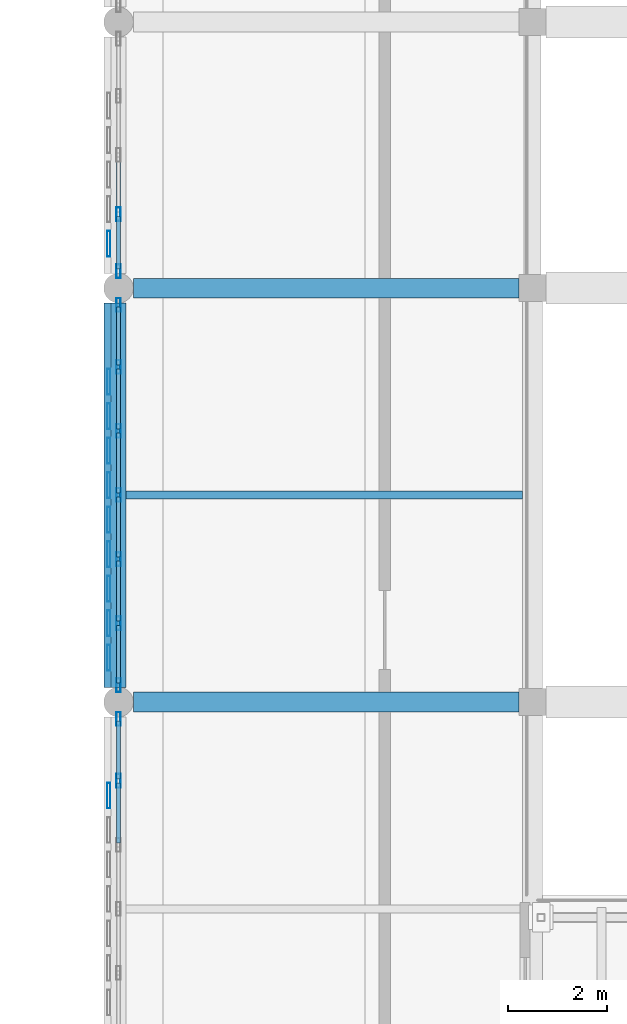
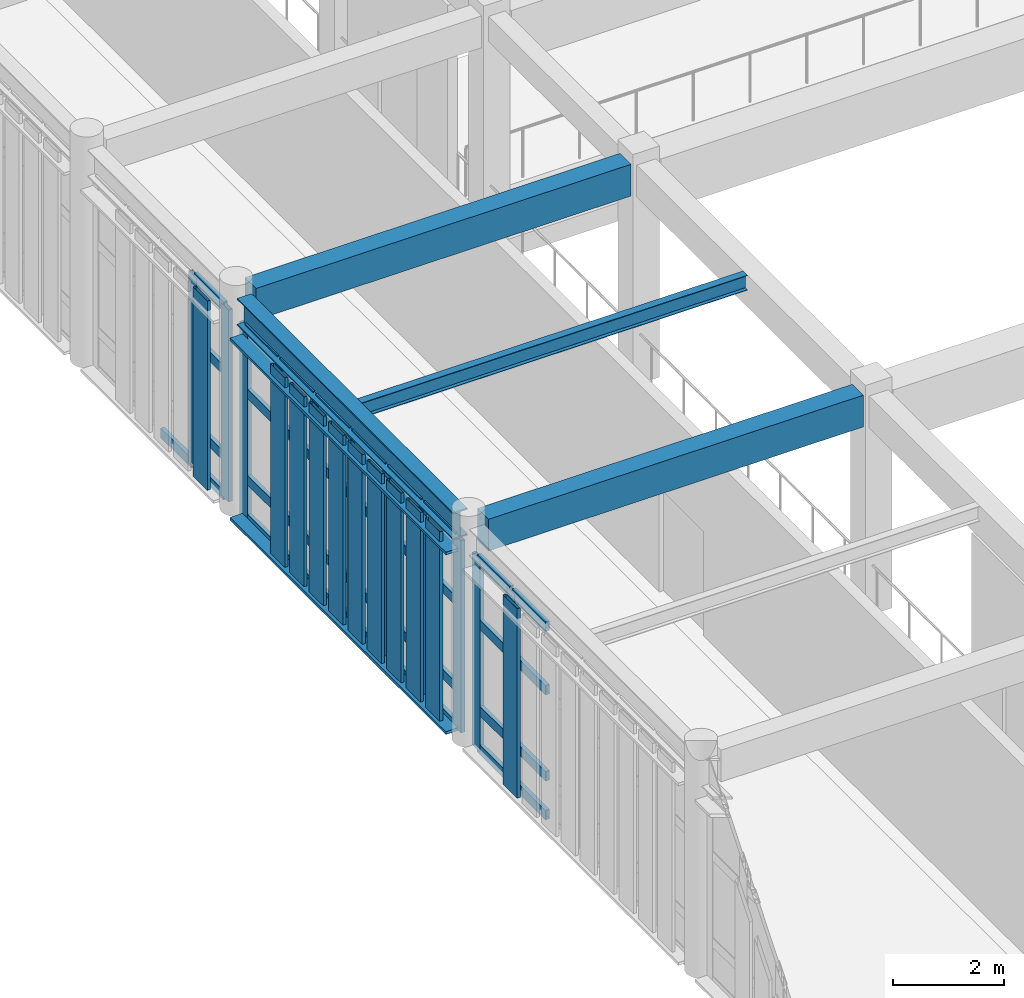
# One storey, part 22 of 77: 61 members, 4 beams, 3 elements without a shape of their own.
"""IFC4 building model written with IfcOpenShell, lengths in metres."""

from ifc_helpers import new_model, si_unit, direction, frame, origin, origin_2d, place, context, subcontext, project, spatial, rectangle, hollow_rectangle, i_section, extrude, material, layer, layer_set, material_profile, profile_set, type_object, element, aggregate, save


model = new_model("IFC4")

# Units and contexts
model_context = context("Model", 3, precision=1e-05, world=origin(), true_north=direction((0.0, 1.0)))
body_context = subcontext(model_context, "Body", "Model", "MODEL_VIEW")
ifc_project = project(units=[si_unit("LENGTHUNIT", "METRE"), si_unit("AREAUNIT", "SQUARE_METRE"), si_unit("VOLUMEUNIT", "CUBIC_METRE"), si_unit("PLANEANGLEUNIT", "RADIAN"), si_unit("MASSUNIT", "GRAM", prefix="KILO")], contexts=[model_context])

# Site, building, storey
site_placement = place(None, origin())
site = spatial("IfcSite", under=ifc_project, at=site_placement, CompositionType="ELEMENT")
building_placement = place(site_placement, origin())
building = spatial("IfcBuilding", under=site, at=building_placement, Name="Krzemoval Escarpment Law Courts", CompositionType="ELEMENT")
storey_placement = place(building_placement, frame((0.0, 0.0, 15.300048828125)))
storey = spatial("IfcBuildingStorey", under=building, at=storey_placement, Name="L03", CompositionType="ELEMENT", Elevation=15.300048828125)

# Beams
ifc_material_1 = material(Name="Concrete C40/50", Category="concrete")
ifc_material_profile_1 = material_profile(ifc_material_1, rectangle(XDim=0.39990234375, YDim=0.699951171875, at=origin_2d()), Name="RCB 400x700")
ifc_profile_set_1 = profile_set([ifc_material_profile_1], Name="Concrete C40/50")
beam_type_1 = type_object("IfcBeamType", Name="BM-RC-400x700", PredefinedType="BEAM", material=ifc_profile_set_1)
for number, where, z_axis, x_axis, name in (
    (1, (8.699951171875, 66.0, 4.489990234375), (1.0, 0.0, 0.0), (0.0, 1.0, 0.0), "Beam FG-L03-2160"),
    (2, (8.699951171875, 74.39990234375, 4.489990234375), (1.0, 0.0, 0.0), (0.0, 1.0, 0.0), "Beam FG-L03-2163"),
):
    element("IfcBeam", number, at=place(storey_placement, frame(where, z_axis=z_axis, x_axis=x_axis)), inside=storey, type_object=beam_type_1, Name=name, PredefinedType="BEAM", context=body_context, shape_type="SweptSolid", body=[
        extrude(rectangle(XDim=0.39990234375, YDim=0.699951171875, at=origin_2d()), origin(), (0.0, 0.0, 1.0), 7.824951171875),
    ])

# Curtain wall, members
ifc_material_2 = material(Name="Aluminium 6063-T6", Category="aluminium")
ifc_layer = layer(ifc_material_2, 0.280029296875)
ifc_layer_set = layer_set([ifc_layer], Name="Aluminium 6063-T6")
curtain_wall_type = type_object("IfcCurtainWallType", Name="CW-HALL-5100", PredefinedType="USERDEFINED", material=ifc_layer_set)
curtain_wall_1_placement = place(storey_placement, origin())
curtain_wall_1 = element("IfcCurtainWall", 3, at=curtain_wall_1_placement, inside=storey, type_object=curtain_wall_type, Name="Unitised Curtain Wall FCW-L03-099", ObjectType="UNITISED_CURTAIN_WALL", PredefinedType="USERDEFINED")
ifc_material_3 = material(Name="Aluminium 6063-T6", Category="aluminium")
ifc_material_profile_2 = material_profile(ifc_material_3, hollow_rectangle(XDim=0.0849609375, YDim=0.280029296875, WallThickness=0.005615234375, at=origin_2d()), Name="ALU M85x280")
ifc_profile_set_2 = profile_set([ifc_material_profile_2], Name="Aluminium 6063-T6")
member_type_1 = type_object("IfcMemberType", Name="CWM-85x280", PredefinedType="MULLION", material=ifc_profile_set_2)
member_1_placement = place(storey_placement, frame((8.39990234375, 64.39990234375, 0.0), z_axis=(0.0, 0.0, 1.0), x_axis=(-1.0, 0.0, 0.0)))
member_1 = element("IfcMember", 4, at=member_1_placement, type_object=member_type_1, Name="FCW-L03-099 mullion 6", PredefinedType="MULLION", context=body_context, shape_type="SweptSolid", body=[
    extrude(hollow_rectangle(XDim=0.0849609375, YDim=0.280029296875, WallThickness=0.005615234375, at=origin_2d()), origin(), (0.0, 0.0, 1.0), 4.239990234375),
])
member_2_placement = place(storey_placement, frame((8.39990234375, 65.657470703125, 0.0), z_axis=(0.0, 0.0, 1.0), x_axis=(-1.0, 0.0, 0.0)))
member_2 = element("IfcMember", 5, at=member_2_placement, type_object=member_type_1, Name="FCW-L03-099 mullion 7", PredefinedType="MULLION", context=body_context, shape_type="SweptSolid", body=[
    extrude(hollow_rectangle(XDim=0.0849609375, YDim=0.280029296875, WallThickness=0.005615234375, at=origin_2d()), origin(), (0.0, 0.0, 1.0), 4.239990234375),
])

curtain_wall_2_placement = place(storey_placement, origin())
curtain_wall_2 = element("IfcCurtainWall", 6, at=curtain_wall_2_placement, inside=storey, type_object=curtain_wall_type, Name="Unitised Curtain Wall FCW-L03-100", ObjectType="UNITISED_CURTAIN_WALL", PredefinedType="USERDEFINED")
member_3_placement = place(storey_placement, frame((8.39990234375, 66.342529296875, 0.0), z_axis=(0.0, 0.0, 1.0), x_axis=(-1.0, 0.0, 0.0)))
member_3 = element("IfcMember", 7, at=member_3_placement, type_object=member_type_1, Name="FCW-L03-100 mullion 1", PredefinedType="MULLION", context=body_context, shape_type="SweptSolid", body=[
    extrude(hollow_rectangle(XDim=0.0849609375, YDim=0.280029296875, WallThickness=0.005615234375, at=origin_2d()), origin(), (0.0, 0.0, 1.0), 4.239990234375),
])
member_4_placement = place(storey_placement, frame((8.39990234375, 67.60009765625, 0.0), z_axis=(0.0, 0.0, 1.0), x_axis=(-1.0, 0.0, 0.0)))
member_4 = element("IfcMember", 8, at=member_4_placement, type_object=member_type_1, Name="FCW-L03-100 mullion 2", PredefinedType="MULLION", context=body_context, shape_type="SweptSolid", body=[
    extrude(hollow_rectangle(XDim=0.0849609375, YDim=0.280029296875, WallThickness=0.005615234375, at=origin_2d()), origin(), (0.0, 0.0, 1.0), 4.239990234375),
])
member_5_placement = place(storey_placement, frame((8.39990234375, 68.89990234375, 0.0), z_axis=(0.0, 0.0, 1.0), x_axis=(-1.0, 0.0, 0.0)))
member_5 = element("IfcMember", 9, at=member_5_placement, type_object=member_type_1, Name="FCW-L03-100 mullion 3", PredefinedType="MULLION", context=body_context, shape_type="SweptSolid", body=[
    extrude(hollow_rectangle(XDim=0.0849609375, YDim=0.280029296875, WallThickness=0.005615234375, at=origin_2d()), origin(), (0.0, 0.0, 1.0), 4.239990234375),
])
member_6_placement = place(storey_placement, frame((8.39990234375, 70.199951171875, 0.0), z_axis=(0.0, 0.0, 1.0), x_axis=(-1.0, 0.0, 0.0)))
member_6 = element("IfcMember", 10, at=member_6_placement, type_object=member_type_1, Name="FCW-L03-100 mullion 4", PredefinedType="MULLION", context=body_context, shape_type="SweptSolid", body=[
    extrude(hollow_rectangle(XDim=0.0849609375, YDim=0.280029296875, WallThickness=0.005615234375, at=origin_2d()), origin(), (0.0, 0.0, 1.0), 4.239990234375),
])
member_7_placement = place(storey_placement, frame((8.39990234375, 71.5, 0.0), z_axis=(0.0, 0.0, 1.0), x_axis=(-1.0, 0.0, 0.0)))
member_7 = element("IfcMember", 11, at=member_7_placement, type_object=member_type_1, Name="FCW-L03-100 mullion 5", PredefinedType="MULLION", context=body_context, shape_type="SweptSolid", body=[
    extrude(hollow_rectangle(XDim=0.0849609375, YDim=0.280029296875, WallThickness=0.005615234375, at=origin_2d()), origin(), (0.0, 0.0, 1.0), 4.239990234375),
])
member_8_placement = place(storey_placement, frame((8.39990234375, 72.800048828125, 0.0), z_axis=(0.0, 0.0, 1.0), x_axis=(-1.0, 0.0, 0.0)))
member_8 = element("IfcMember", 12, at=member_8_placement, type_object=member_type_1, Name="FCW-L03-100 mullion 6", PredefinedType="MULLION", context=body_context, shape_type="SweptSolid", body=[
    extrude(hollow_rectangle(XDim=0.0849609375, YDim=0.280029296875, WallThickness=0.005615234375, at=origin_2d()), origin(), (0.0, 0.0, 1.0), 4.239990234375),
])
member_9_placement = place(storey_placement, frame((8.39990234375, 74.0576171875, 0.0), z_axis=(0.0, 0.0, 1.0), x_axis=(-1.0, 0.0, 0.0)))
member_9 = element("IfcMember", 13, at=member_9_placement, type_object=member_type_1, Name="FCW-L03-100 mullion 7", PredefinedType="MULLION", context=body_context, shape_type="SweptSolid", body=[
    extrude(hollow_rectangle(XDim=0.0849609375, YDim=0.280029296875, WallThickness=0.005615234375, at=origin_2d()), origin(), (0.0, 0.0, 1.0), 4.239990234375),
])

curtain_wall_3_placement = place(storey_placement, origin())
curtain_wall_3 = element("IfcCurtainWall", 14, at=curtain_wall_3_placement, inside=storey, type_object=curtain_wall_type, Name="Unitised Curtain Wall FCW-L03-101", ObjectType="UNITISED_CURTAIN_WALL", PredefinedType="USERDEFINED")
member_10_placement = place(storey_placement, frame((8.39990234375, 74.742431640625, 0.0), z_axis=(0.0, 0.0, 1.0), x_axis=(-1.0, 0.0, 0.0)))
member_10 = element("IfcMember", 15, at=member_10_placement, type_object=member_type_1, Name="FCW-L03-101 mullion 1", PredefinedType="MULLION", context=body_context, shape_type="SweptSolid", body=[
    extrude(hollow_rectangle(XDim=0.0849609375, YDim=0.280029296875, WallThickness=0.005615234375, at=origin_2d()), origin(), (0.0, 0.0, 1.0), 4.239990234375),
])
member_11_placement = place(storey_placement, frame((8.39990234375, 75.89990234375, 0.0), z_axis=(0.0, 0.0, 1.0), x_axis=(-1.0, 0.0, 0.0)))
member_11 = element("IfcMember", 16, at=member_11_placement, type_object=member_type_1, Name="FCW-L03-101 mullion 2", PredefinedType="MULLION", context=body_context, shape_type="SweptSolid", body=[
    extrude(hollow_rectangle(XDim=0.0849609375, YDim=0.280029296875, WallThickness=0.005615234375, at=origin_2d()), origin(), (0.0, 0.0, 1.0), 4.239990234375),
])

# Member
ifc_material_4 = material(Name="Aluminium 6063-T6", Category="aluminium")
ifc_material_profile_3 = material_profile(ifc_material_4, hollow_rectangle(XDim=0.0849609375, YDim=0.2099609375, WallThickness=0.005615234375, at=origin_2d()), Name="ALU T85x210")
ifc_profile_set_3 = profile_set([ifc_material_profile_3], Name="Aluminium 6063-T6")
member_type_2 = type_object("IfcMemberType", Name="CWT-85x210", PredefinedType="USERDEFINED", material=ifc_profile_set_3)
member_12_placement = place(storey_placement, frame((8.39990234375, 63.142578125, 0.04248046875), z_axis=(0.0, 1.0, 0.0), x_axis=(-1.0, 0.0, 0.0)))
member_12 = element("IfcMember", 17, at=member_12_placement, type_object=member_type_2, Name="FCW-L03-099 transom 5.1", ObjectType="TRANSOM", PredefinedType="USERDEFINED", context=body_context, shape_type="SweptSolid", body=[
    extrude(hollow_rectangle(XDim=0.0849609375, YDim=0.2099609375, WallThickness=0.005615234375, at=origin_2d()), origin(), (0.0, 0.0, 1.0), 1.21484375),
])

member_13_placement = place(storey_placement, frame((8.39990234375, 63.142578125, 0.89990234375), z_axis=(0.0, 1.0, 0.0), x_axis=(-1.0, 0.0, 0.0)))
member_13 = element("IfcMember", 18, at=member_13_placement, type_object=member_type_2, Name="FCW-L03-099 transom 5.2", ObjectType="TRANSOM", PredefinedType="USERDEFINED", context=body_context, shape_type="SweptSolid", body=[
    extrude(hollow_rectangle(XDim=0.0849609375, YDim=0.2099609375, WallThickness=0.005615234375, at=origin_2d()), origin(), (0.0, 0.0, 1.0), 1.21484375),
])

member_14_placement = place(storey_placement, frame((8.39990234375, 63.142578125, 2.800048828125), z_axis=(0.0, 1.0, 0.0), x_axis=(-1.0, 0.0, 0.0)))
member_14 = element("IfcMember", 19, at=member_14_placement, type_object=member_type_2, Name="FCW-L03-099 transom 5.3", ObjectType="TRANSOM", PredefinedType="USERDEFINED", context=body_context, shape_type="SweptSolid", body=[
    extrude(hollow_rectangle(XDim=0.0849609375, YDim=0.2099609375, WallThickness=0.005615234375, at=origin_2d()), origin(), (0.0, 0.0, 1.0), 1.21484375),
])

member_15_placement = place(storey_placement, frame((8.39990234375, 63.142578125, 4.197509765625), z_axis=(0.0, 1.0, 0.0), x_axis=(-1.0, 0.0, 0.0)))
member_15 = element("IfcMember", 20, at=member_15_placement, type_object=member_type_2, Name="FCW-L03-099 transom 5.4", ObjectType="TRANSOM", PredefinedType="USERDEFINED", context=body_context, shape_type="SweptSolid", body=[
    extrude(hollow_rectangle(XDim=0.0849609375, YDim=0.2099609375, WallThickness=0.005615234375, at=origin_2d()), origin(), (0.0, 0.0, 1.0), 1.21484375),
])

member_16_placement = place(storey_placement, frame((8.39990234375, 64.4423828125, 0.04248046875), z_axis=(0.0, 1.0, 0.0), x_axis=(-1.0, 0.0, 0.0)))
member_16 = element("IfcMember", 21, at=member_16_placement, type_object=member_type_2, Name="FCW-L03-099 transom 6.1", ObjectType="TRANSOM", PredefinedType="USERDEFINED", context=body_context, shape_type="SweptSolid", body=[
    extrude(hollow_rectangle(XDim=0.0849609375, YDim=0.2099609375, WallThickness=0.005615234375, at=origin_2d()), origin(), (0.0, 0.0, 1.0), 1.172607421875),
])

member_17_placement = place(storey_placement, frame((8.39990234375, 64.4423828125, 0.89990234375), z_axis=(0.0, 1.0, 0.0), x_axis=(-1.0, 0.0, 0.0)))
member_17 = element("IfcMember", 22, at=member_17_placement, type_object=member_type_2, Name="FCW-L03-099 transom 6.2", ObjectType="TRANSOM", PredefinedType="USERDEFINED", context=body_context, shape_type="SweptSolid", body=[
    extrude(hollow_rectangle(XDim=0.0849609375, YDim=0.2099609375, WallThickness=0.005615234375, at=origin_2d()), origin(), (0.0, 0.0, 1.0), 1.172607421875),
])

member_18_placement = place(storey_placement, frame((8.39990234375, 64.4423828125, 2.800048828125), z_axis=(0.0, 1.0, 0.0), x_axis=(-1.0, 0.0, 0.0)))
member_18 = element("IfcMember", 23, at=member_18_placement, type_object=member_type_2, Name="FCW-L03-099 transom 6.3", ObjectType="TRANSOM", PredefinedType="USERDEFINED", context=body_context, shape_type="SweptSolid", body=[
    extrude(hollow_rectangle(XDim=0.0849609375, YDim=0.2099609375, WallThickness=0.005615234375, at=origin_2d()), origin(), (0.0, 0.0, 1.0), 1.172607421875),
])

member_19_placement = place(storey_placement, frame((8.39990234375, 64.4423828125, 4.197509765625), z_axis=(0.0, 1.0, 0.0), x_axis=(-1.0, 0.0, 0.0)))
member_19 = element("IfcMember", 24, at=member_19_placement, type_object=member_type_2, Name="FCW-L03-099 transom 6.4", ObjectType="TRANSOM", PredefinedType="USERDEFINED", context=body_context, shape_type="SweptSolid", body=[
    extrude(hollow_rectangle(XDim=0.0849609375, YDim=0.2099609375, WallThickness=0.005615234375, at=origin_2d()), origin(), (0.0, 0.0, 1.0), 1.172607421875),
])

aggregate(curtain_wall_1, [member_1, member_2, member_12, member_13, member_14, member_15, member_16, member_17, member_18, member_19])

member_20_placement = place(storey_placement, frame((8.39990234375, 66.385009765625, 0.04248046875), z_axis=(0.0, 1.0, 0.0), x_axis=(-1.0, 0.0, 0.0)))
member_20 = element("IfcMember", 25, at=member_20_placement, type_object=member_type_2, Name="FCW-L03-100 transom 1.1", ObjectType="TRANSOM", PredefinedType="USERDEFINED", context=body_context, shape_type="SweptSolid", body=[
    extrude(hollow_rectangle(XDim=0.0849609375, YDim=0.2099609375, WallThickness=0.005615234375, at=origin_2d()), origin(), (0.0, 0.0, 1.0), 1.172607421875),
])

member_21_placement = place(storey_placement, frame((8.39990234375, 66.385009765625, 0.89990234375), z_axis=(0.0, 1.0, 0.0), x_axis=(-1.0, 0.0, 0.0)))
member_21 = element("IfcMember", 26, at=member_21_placement, type_object=member_type_2, Name="FCW-L03-100 transom 1.2", ObjectType="TRANSOM", PredefinedType="USERDEFINED", context=body_context, shape_type="SweptSolid", body=[
    extrude(hollow_rectangle(XDim=0.0849609375, YDim=0.2099609375, WallThickness=0.005615234375, at=origin_2d()), origin(), (0.0, 0.0, 1.0), 1.172607421875),
])

member_22_placement = place(storey_placement, frame((8.39990234375, 66.385009765625, 2.800048828125), z_axis=(0.0, 1.0, 0.0), x_axis=(-1.0, 0.0, 0.0)))
member_22 = element("IfcMember", 27, at=member_22_placement, type_object=member_type_2, Name="FCW-L03-100 transom 1.3", ObjectType="TRANSOM", PredefinedType="USERDEFINED", context=body_context, shape_type="SweptSolid", body=[
    extrude(hollow_rectangle(XDim=0.0849609375, YDim=0.2099609375, WallThickness=0.005615234375, at=origin_2d()), origin(), (0.0, 0.0, 1.0), 1.172607421875),
])

member_23_placement = place(storey_placement, frame((8.39990234375, 66.385009765625, 4.197509765625), z_axis=(0.0, 1.0, 0.0), x_axis=(-1.0, 0.0, 0.0)))
member_23 = element("IfcMember", 28, at=member_23_placement, type_object=member_type_2, Name="FCW-L03-100 transom 1.4", ObjectType="TRANSOM", PredefinedType="USERDEFINED", context=body_context, shape_type="SweptSolid", body=[
    extrude(hollow_rectangle(XDim=0.0849609375, YDim=0.2099609375, WallThickness=0.005615234375, at=origin_2d()), origin(), (0.0, 0.0, 1.0), 1.172607421875),
])

member_24_placement = place(storey_placement, frame((8.39990234375, 67.642578125, 0.04248046875), z_axis=(0.0, 1.0, 0.0), x_axis=(-1.0, 0.0, 0.0)))
member_24 = element("IfcMember", 29, at=member_24_placement, type_object=member_type_2, Name="FCW-L03-100 transom 2.1", ObjectType="TRANSOM", PredefinedType="USERDEFINED", context=body_context, shape_type="SweptSolid", body=[
    extrude(hollow_rectangle(XDim=0.0849609375, YDim=0.2099609375, WallThickness=0.005615234375, at=origin_2d()), origin(), (0.0, 0.0, 1.0), 1.21484375),
])

member_25_placement = place(storey_placement, frame((8.39990234375, 67.642578125, 0.89990234375), z_axis=(0.0, 1.0, 0.0), x_axis=(-1.0, 0.0, 0.0)))
member_25 = element("IfcMember", 30, at=member_25_placement, type_object=member_type_2, Name="FCW-L03-100 transom 2.2", ObjectType="TRANSOM", PredefinedType="USERDEFINED", context=body_context, shape_type="SweptSolid", body=[
    extrude(hollow_rectangle(XDim=0.0849609375, YDim=0.2099609375, WallThickness=0.005615234375, at=origin_2d()), origin(), (0.0, 0.0, 1.0), 1.21484375),
])

member_26_placement = place(storey_placement, frame((8.39990234375, 67.642578125, 2.800048828125), z_axis=(0.0, 1.0, 0.0), x_axis=(-1.0, 0.0, 0.0)))
member_26 = element("IfcMember", 31, at=member_26_placement, type_object=member_type_2, Name="FCW-L03-100 transom 2.3", ObjectType="TRANSOM", PredefinedType="USERDEFINED", context=body_context, shape_type="SweptSolid", body=[
    extrude(hollow_rectangle(XDim=0.0849609375, YDim=0.2099609375, WallThickness=0.005615234375, at=origin_2d()), origin(), (0.0, 0.0, 1.0), 1.21484375),
])

member_27_placement = place(storey_placement, frame((8.39990234375, 67.642578125, 4.197509765625), z_axis=(0.0, 1.0, 0.0), x_axis=(-1.0, 0.0, 0.0)))
member_27 = element("IfcMember", 32, at=member_27_placement, type_object=member_type_2, Name="FCW-L03-100 transom 2.4", ObjectType="TRANSOM", PredefinedType="USERDEFINED", context=body_context, shape_type="SweptSolid", body=[
    extrude(hollow_rectangle(XDim=0.0849609375, YDim=0.2099609375, WallThickness=0.005615234375, at=origin_2d()), origin(), (0.0, 0.0, 1.0), 1.21484375),
])

member_28_placement = place(storey_placement, frame((8.39990234375, 68.9423828125, 0.04248046875), z_axis=(0.0, 1.0, 0.0), x_axis=(-1.0, 0.0, 0.0)))
member_28 = element("IfcMember", 33, at=member_28_placement, type_object=member_type_2, Name="FCW-L03-100 transom 3.1", ObjectType="TRANSOM", PredefinedType="USERDEFINED", context=body_context, shape_type="SweptSolid", body=[
    extrude(hollow_rectangle(XDim=0.0849609375, YDim=0.2099609375, WallThickness=0.005615234375, at=origin_2d()), origin(), (0.0, 0.0, 1.0), 1.215087890625),
])

member_29_placement = place(storey_placement, frame((8.39990234375, 68.9423828125, 0.89990234375), z_axis=(0.0, 1.0, 0.0), x_axis=(-1.0, 0.0, 0.0)))
member_29 = element("IfcMember", 34, at=member_29_placement, type_object=member_type_2, Name="FCW-L03-100 transom 3.2", ObjectType="TRANSOM", PredefinedType="USERDEFINED", context=body_context, shape_type="SweptSolid", body=[
    extrude(hollow_rectangle(XDim=0.0849609375, YDim=0.2099609375, WallThickness=0.005615234375, at=origin_2d()), origin(), (0.0, 0.0, 1.0), 1.215087890625),
])

member_30_placement = place(storey_placement, frame((8.39990234375, 68.9423828125, 2.800048828125), z_axis=(0.0, 1.0, 0.0), x_axis=(-1.0, 0.0, 0.0)))
member_30 = element("IfcMember", 35, at=member_30_placement, type_object=member_type_2, Name="FCW-L03-100 transom 3.3", ObjectType="TRANSOM", PredefinedType="USERDEFINED", context=body_context, shape_type="SweptSolid", body=[
    extrude(hollow_rectangle(XDim=0.0849609375, YDim=0.2099609375, WallThickness=0.005615234375, at=origin_2d()), origin(), (0.0, 0.0, 1.0), 1.215087890625),
])

member_31_placement = place(storey_placement, frame((8.39990234375, 68.9423828125, 4.197509765625), z_axis=(0.0, 1.0, 0.0), x_axis=(-1.0, 0.0, 0.0)))
member_31 = element("IfcMember", 36, at=member_31_placement, type_object=member_type_2, Name="FCW-L03-100 transom 3.4", ObjectType="TRANSOM", PredefinedType="USERDEFINED", context=body_context, shape_type="SweptSolid", body=[
    extrude(hollow_rectangle(XDim=0.0849609375, YDim=0.2099609375, WallThickness=0.005615234375, at=origin_2d()), origin(), (0.0, 0.0, 1.0), 1.215087890625),
])

member_32_placement = place(storey_placement, frame((8.39990234375, 70.242431640625, 0.04248046875), z_axis=(0.0, 1.0, 0.0), x_axis=(-1.0, 0.0, 0.0)))
member_32 = element("IfcMember", 37, at=member_32_placement, type_object=member_type_2, Name="FCW-L03-100 transom 4.1", ObjectType="TRANSOM", PredefinedType="USERDEFINED", context=body_context, shape_type="SweptSolid", body=[
    extrude(hollow_rectangle(XDim=0.0849609375, YDim=0.2099609375, WallThickness=0.005615234375, at=origin_2d()), origin(), (0.0, 0.0, 1.0), 1.215087890625),
])

member_33_placement = place(storey_placement, frame((8.39990234375, 70.242431640625, 0.89990234375), z_axis=(0.0, 1.0, 0.0), x_axis=(-1.0, 0.0, 0.0)))
member_33 = element("IfcMember", 38, at=member_33_placement, type_object=member_type_2, Name="FCW-L03-100 transom 4.2", ObjectType="TRANSOM", PredefinedType="USERDEFINED", context=body_context, shape_type="SweptSolid", body=[
    extrude(hollow_rectangle(XDim=0.0849609375, YDim=0.2099609375, WallThickness=0.005615234375, at=origin_2d()), origin(), (0.0, 0.0, 1.0), 1.215087890625),
])

member_34_placement = place(storey_placement, frame((8.39990234375, 70.242431640625, 2.800048828125), z_axis=(0.0, 1.0, 0.0), x_axis=(-1.0, 0.0, 0.0)))
member_34 = element("IfcMember", 39, at=member_34_placement, type_object=member_type_2, Name="FCW-L03-100 transom 4.3", ObjectType="TRANSOM", PredefinedType="USERDEFINED", context=body_context, shape_type="SweptSolid", body=[
    extrude(hollow_rectangle(XDim=0.0849609375, YDim=0.2099609375, WallThickness=0.005615234375, at=origin_2d()), origin(), (0.0, 0.0, 1.0), 1.215087890625),
])

member_35_placement = place(storey_placement, frame((8.39990234375, 70.242431640625, 4.197509765625), z_axis=(0.0, 1.0, 0.0), x_axis=(-1.0, 0.0, 0.0)))
member_35 = element("IfcMember", 40, at=member_35_placement, type_object=member_type_2, Name="FCW-L03-100 transom 4.4", ObjectType="TRANSOM", PredefinedType="USERDEFINED", context=body_context, shape_type="SweptSolid", body=[
    extrude(hollow_rectangle(XDim=0.0849609375, YDim=0.2099609375, WallThickness=0.005615234375, at=origin_2d()), origin(), (0.0, 0.0, 1.0), 1.215087890625),
])

member_36_placement = place(storey_placement, frame((8.39990234375, 71.54248046875, 0.04248046875), z_axis=(0.0, 1.0, 0.0), x_axis=(-1.0, 0.0, 0.0)))
member_36 = element("IfcMember", 41, at=member_36_placement, type_object=member_type_2, Name="FCW-L03-100 transom 5.1", ObjectType="TRANSOM", PredefinedType="USERDEFINED", context=body_context, shape_type="SweptSolid", body=[
    extrude(hollow_rectangle(XDim=0.0849609375, YDim=0.2099609375, WallThickness=0.005615234375, at=origin_2d()), origin(), (0.0, 0.0, 1.0), 1.215087890625),
])

member_37_placement = place(storey_placement, frame((8.39990234375, 71.54248046875, 0.89990234375), z_axis=(0.0, 1.0, 0.0), x_axis=(-1.0, 0.0, 0.0)))
member_37 = element("IfcMember", 42, at=member_37_placement, type_object=member_type_2, Name="FCW-L03-100 transom 5.2", ObjectType="TRANSOM", PredefinedType="USERDEFINED", context=body_context, shape_type="SweptSolid", body=[
    extrude(hollow_rectangle(XDim=0.0849609375, YDim=0.2099609375, WallThickness=0.005615234375, at=origin_2d()), origin(), (0.0, 0.0, 1.0), 1.215087890625),
])

member_38_placement = place(storey_placement, frame((8.39990234375, 71.54248046875, 2.800048828125), z_axis=(0.0, 1.0, 0.0), x_axis=(-1.0, 0.0, 0.0)))
member_38 = element("IfcMember", 43, at=member_38_placement, type_object=member_type_2, Name="FCW-L03-100 transom 5.3", ObjectType="TRANSOM", PredefinedType="USERDEFINED", context=body_context, shape_type="SweptSolid", body=[
    extrude(hollow_rectangle(XDim=0.0849609375, YDim=0.2099609375, WallThickness=0.005615234375, at=origin_2d()), origin(), (0.0, 0.0, 1.0), 1.215087890625),
])

member_39_placement = place(storey_placement, frame((8.39990234375, 71.54248046875, 4.197509765625), z_axis=(0.0, 1.0, 0.0), x_axis=(-1.0, 0.0, 0.0)))
member_39 = element("IfcMember", 44, at=member_39_placement, type_object=member_type_2, Name="FCW-L03-100 transom 5.4", ObjectType="TRANSOM", PredefinedType="USERDEFINED", context=body_context, shape_type="SweptSolid", body=[
    extrude(hollow_rectangle(XDim=0.0849609375, YDim=0.2099609375, WallThickness=0.005615234375, at=origin_2d()), origin(), (0.0, 0.0, 1.0), 1.215087890625),
])

member_40_placement = place(storey_placement, frame((8.39990234375, 72.842529296875, 0.04248046875), z_axis=(0.0, 1.0, 0.0), x_axis=(-1.0, 0.0, 0.0)))
member_40 = element("IfcMember", 45, at=member_40_placement, type_object=member_type_2, Name="FCW-L03-100 transom 6.1", ObjectType="TRANSOM", PredefinedType="USERDEFINED", context=body_context, shape_type="SweptSolid", body=[
    extrude(hollow_rectangle(XDim=0.0849609375, YDim=0.2099609375, WallThickness=0.005615234375, at=origin_2d()), origin(), (0.0, 0.0, 1.0), 1.17236328125),
])

member_41_placement = place(storey_placement, frame((8.39990234375, 72.842529296875, 0.89990234375), z_axis=(0.0, 1.0, 0.0), x_axis=(-1.0, 0.0, 0.0)))
member_41 = element("IfcMember", 46, at=member_41_placement, type_object=member_type_2, Name="FCW-L03-100 transom 6.2", ObjectType="TRANSOM", PredefinedType="USERDEFINED", context=body_context, shape_type="SweptSolid", body=[
    extrude(hollow_rectangle(XDim=0.0849609375, YDim=0.2099609375, WallThickness=0.005615234375, at=origin_2d()), origin(), (0.0, 0.0, 1.0), 1.17236328125),
])

member_42_placement = place(storey_placement, frame((8.39990234375, 72.842529296875, 2.800048828125), z_axis=(0.0, 1.0, 0.0), x_axis=(-1.0, 0.0, 0.0)))
member_42 = element("IfcMember", 47, at=member_42_placement, type_object=member_type_2, Name="FCW-L03-100 transom 6.3", ObjectType="TRANSOM", PredefinedType="USERDEFINED", context=body_context, shape_type="SweptSolid", body=[
    extrude(hollow_rectangle(XDim=0.0849609375, YDim=0.2099609375, WallThickness=0.005615234375, at=origin_2d()), origin(), (0.0, 0.0, 1.0), 1.17236328125),
])

member_43_placement = place(storey_placement, frame((8.39990234375, 72.842529296875, 4.197509765625), z_axis=(0.0, 1.0, 0.0), x_axis=(-1.0, 0.0, 0.0)))
member_43 = element("IfcMember", 48, at=member_43_placement, type_object=member_type_2, Name="FCW-L03-100 transom 6.4", ObjectType="TRANSOM", PredefinedType="USERDEFINED", context=body_context, shape_type="SweptSolid", body=[
    extrude(hollow_rectangle(XDim=0.0849609375, YDim=0.2099609375, WallThickness=0.005615234375, at=origin_2d()), origin(), (0.0, 0.0, 1.0), 1.17236328125),
])

aggregate(curtain_wall_2, [member_3, member_4, member_5, member_6, member_7, member_8, member_9, member_20, member_21, member_22, member_23, member_24, member_25, member_26, member_27, member_28, member_29, member_30, member_31, member_32, member_33, member_34, member_35, member_36, member_37, member_38, member_39, member_40, member_41, member_42, member_43])

member_44_placement = place(storey_placement, frame((8.39990234375, 74.784912109375, 0.04248046875), z_axis=(0.0, 1.0, 0.0), x_axis=(-1.0, 0.0, 0.0)))
member_44 = element("IfcMember", 49, at=member_44_placement, type_object=member_type_2, Name="FCW-L03-101 transom 1.1", ObjectType="TRANSOM", PredefinedType="USERDEFINED", context=body_context, shape_type="SweptSolid", body=[
    extrude(hollow_rectangle(XDim=0.0849609375, YDim=0.2099609375, WallThickness=0.005615234375, at=origin_2d()), origin(), (0.0, 0.0, 1.0), 1.072509765625),
])

member_45_placement = place(storey_placement, frame((8.39990234375, 74.784912109375, 0.89990234375), z_axis=(0.0, 1.0, 0.0), x_axis=(-1.0, 0.0, 0.0)))
member_45 = element("IfcMember", 50, at=member_45_placement, type_object=member_type_2, Name="FCW-L03-101 transom 1.2", ObjectType="TRANSOM", PredefinedType="USERDEFINED", context=body_context, shape_type="SweptSolid", body=[
    extrude(hollow_rectangle(XDim=0.0849609375, YDim=0.2099609375, WallThickness=0.005615234375, at=origin_2d()), origin(), (0.0, 0.0, 1.0), 1.072509765625),
])

member_46_placement = place(storey_placement, frame((8.39990234375, 74.784912109375, 2.800048828125), z_axis=(0.0, 1.0, 0.0), x_axis=(-1.0, 0.0, 0.0)))
member_46 = element("IfcMember", 51, at=member_46_placement, type_object=member_type_2, Name="FCW-L03-101 transom 1.3", ObjectType="TRANSOM", PredefinedType="USERDEFINED", context=body_context, shape_type="SweptSolid", body=[
    extrude(hollow_rectangle(XDim=0.0849609375, YDim=0.2099609375, WallThickness=0.005615234375, at=origin_2d()), origin(), (0.0, 0.0, 1.0), 1.072509765625),
])

member_47_placement = place(storey_placement, frame((8.39990234375, 74.784912109375, 4.197509765625), z_axis=(0.0, 1.0, 0.0), x_axis=(-1.0, 0.0, 0.0)))
member_47 = element("IfcMember", 52, at=member_47_placement, type_object=member_type_2, Name="FCW-L03-101 transom 1.4", ObjectType="TRANSOM", PredefinedType="USERDEFINED", context=body_context, shape_type="SweptSolid", body=[
    extrude(hollow_rectangle(XDim=0.0849609375, YDim=0.2099609375, WallThickness=0.005615234375, at=origin_2d()), origin(), (0.0, 0.0, 1.0), 1.072509765625),
])

member_48_placement = place(storey_placement, frame((8.39990234375, 75.9423828125, 0.04248046875), z_axis=(0.0, 1.0, 0.0), x_axis=(-1.0, 0.0, 0.0)))
member_48 = element("IfcMember", 53, at=member_48_placement, type_object=member_type_2, Name="FCW-L03-101 transom 2.1", ObjectType="TRANSOM", PredefinedType="USERDEFINED", context=body_context, shape_type="SweptSolid", body=[
    extrude(hollow_rectangle(XDim=0.0849609375, YDim=0.2099609375, WallThickness=0.005615234375, at=origin_2d()), origin(), (0.0, 0.0, 1.0), 1.115234375),
])

aggregate(curtain_wall_3, [member_10, member_11, member_44, member_45, member_46, member_47, member_48])

# Beam
ifc_material_5 = material(Name="Steel S355", Category="steel")
ifc_material_profile_4 = material_profile(ifc_material_5, i_section(OverallWidth=0.159912109375, OverallDepth=0.330078125, WebThickness=0.007568359375, FlangeThickness=0.011474609375, at=origin_2d()), Name="IPE 330")
ifc_profile_set_4 = profile_set([ifc_material_profile_4], Name="Steel S355")
beam_type_2 = type_object("IfcBeamType", Name="JST-S355-IPE330", PredefinedType="JOIST", material=ifc_profile_set_4)
beam_1_placement = place(storey_placement, frame((8.550048828125, 70.199951171875, 4.675048828125), z_axis=(1.0, 0.0, 0.0), x_axis=(0.0, 1.0, 0.0)))
element("IfcBeam", 54, at=beam_1_placement, inside=storey, type_object=beam_type_2, Name="Secondary Joist FJ-L03-2365", PredefinedType="JOIST", context=body_context, shape_type="SweptSolid", body=[
    extrude(i_section(OverallWidth=0.159912109375, OverallDepth=0.330078125, WebThickness=0.007568359375, FlangeThickness=0.011474609375, at=origin_2d()), origin(), (0.0, 0.0, 1.0), 8.050048828125),
])

# Members
ifc_material_6 = material(Name="Anodised Aluminium Alloy 6063-T6", Category="aluminium")
ifc_material_profile_5 = material_profile(ifc_material_6, hollow_rectangle(XDim=0.06005859375, YDim=0.320068359375, WallThickness=0.00390625, at=origin_2d()), Name="ALU LVR 60x320")
ifc_profile_set_5 = profile_set([ifc_material_profile_5], Name="Anodised Aluminium Alloy 6063-T6")
member_type_3 = type_object("IfcMemberType", Name="LVR-ALU-320", PredefinedType="USERDEFINED", material=ifc_profile_set_5)
for number, where, z_axis, x_axis, name in (
    (55, (8.260009765625, 66.300048828125, 0.030029296875), (0.0, 1.0, 0.0), (0.0, 0.0, 1.0), "Sunshade Support Rail FSR-L03-0646"),
    (56, (8.260009765625, 66.300048828125, 3.989990234375), (0.0, 1.0, 0.0), (0.0, 0.0, 1.0), "Sunshade Support Rail FSR-L03-0647"),
):
    element("IfcMember", number, at=place(storey_placement, frame(where, z_axis=z_axis, x_axis=x_axis)), inside=storey, type_object=member_type_3, Name=name, ObjectType="SUNSHADE_LOUVRE", PredefinedType="USERDEFINED", context=body_context, shape_type="SweptSolid", body=[
        extrude(hollow_rectangle(XDim=0.06005859375, YDim=0.320068359375, WallThickness=0.00390625, at=origin_2d()), origin(), (0.0, 0.0, 1.0), 7.800048828125),
    ])
ifc_material_7 = material(Name="Anodised Aluminium Alloy 6063-T6", Category="aluminium")
ifc_material_profile_6 = material_profile(ifc_material_7, hollow_rectangle(XDim=0.06494140625, YDim=0.52001953125, WallThickness=0.00439453125, at=origin_2d()), Name="ALU LVR 65x520")
ifc_profile_set_6 = profile_set([ifc_material_profile_6], Name="Anodised Aluminium Alloy 6063-T6")
member_type_4 = type_object("IfcMemberType", Name="LVR-ALU-520", PredefinedType="USERDEFINED", material=ifc_profile_set_6)
for number, where, z_axis, x_axis, name in (
    (57, (8.199951171875, 64.10009765625, 0.06005859375), (0.0, 0.0, 1.0), (1.0, 0.0, 0.0), "Sunshade Louvre Fin FLV-L03-0645"),
    (58, (8.199951171875, 66.89990234375, 0.06005859375), (0.0, 0.0, 1.0), (1.0, 0.0, 0.0), "Sunshade Louvre Fin FLV-L03-0648"),
    (59, (8.199951171875, 67.60009765625, 0.06005859375), (0.0, 0.0, 1.0), (1.0, 0.0, 0.0), "Sunshade Louvre Fin FLV-L03-0649"),
    (60, (8.199951171875, 68.300048828125, 0.06005859375), (0.0, 0.0, 1.0), (1.0, 0.0, 0.0), "Sunshade Louvre Fin FLV-L03-0650"),
    (61, (8.199951171875, 69.0, 0.06005859375), (0.0, 0.0, 1.0), (1.0, 0.0, 0.0), "Sunshade Louvre Fin FLV-L03-0651"),
    (62, (8.199951171875, 69.699951171875, 0.06005859375), (0.0, 0.0, 1.0), (1.0, 0.0, 0.0), "Sunshade Louvre Fin FLV-L03-0652"),
    (63, (8.199951171875, 70.39990234375, 0.06005859375), (0.0, 0.0, 1.0), (1.0, 0.0, 0.0), "Sunshade Louvre Fin FLV-L03-0653"),
    (64, (8.199951171875, 71.10009765625, 0.06005859375), (0.0, 0.0, 1.0), (1.0, 0.0, 0.0), "Sunshade Louvre Fin FLV-L03-0654"),
    (65, (8.199951171875, 71.800048828125, 0.06005859375), (0.0, 0.0, 1.0), (1.0, 0.0, 0.0), "Sunshade Louvre Fin FLV-L03-0655"),
    (66, (8.199951171875, 72.5, 0.06005859375), (0.0, 0.0, 1.0), (1.0, 0.0, 0.0), "Sunshade Louvre Fin FLV-L03-0656"),
    (67, (8.199951171875, 75.300048828125, 0.06005859375), (0.0, 0.0, 1.0), (1.0, 0.0, 0.0), "Sunshade Louvre Fin FLV-L03-0659"),
):
    element("IfcMember", number, at=place(storey_placement, frame(where, z_axis=z_axis, x_axis=x_axis)), inside=storey, type_object=member_type_4, Name=name, ObjectType="SUNSHADE_LOUVRE", PredefinedType="USERDEFINED", context=body_context, shape_type="SweptSolid", body=[
        extrude(hollow_rectangle(XDim=0.06494140625, YDim=0.52001953125, WallThickness=0.00439453125, at=origin_2d()), origin(), (0.0, 0.0, 1.0), 4.179931640625),
    ])

# Beam
ifc_material_8 = material(Name="Steel S355", Category="steel")
ifc_material_profile_7 = material_profile(ifc_material_8, i_section(OverallWidth=0.300048828125, OverallDepth=0.60009765625, WebThickness=0.015380859375, FlangeThickness=0.030029296875, at=origin_2d()), Name="HEB 600")
ifc_profile_set_7 = profile_set([ifc_material_profile_7], Name="Steel S355")
beam_type_3 = type_object("IfcBeamType", Name="SPN-S355-HEB600", PredefinedType="SPANDREL", material=ifc_profile_set_7)
beam_2_placement = place(storey_placement, frame((8.39990234375, 66.300048828125, 4.5400390625), z_axis=(0.0, 1.0, 0.0), x_axis=(-1.0, 0.0, 0.0)))
element("IfcBeam", 68, at=beam_2_placement, inside=storey, type_object=beam_type_3, Name="Beam FG-L03-2226", PredefinedType="SPANDREL", context=body_context, shape_type="SweptSolid", body=[
    extrude(i_section(OverallWidth=0.300048828125, OverallDepth=0.60009765625, WebThickness=0.015380859375, FlangeThickness=0.030029296875, at=origin_2d()), origin(), (0.0, 0.0, 1.0), 7.800048828125),
])

save(model, "model.ifc")
